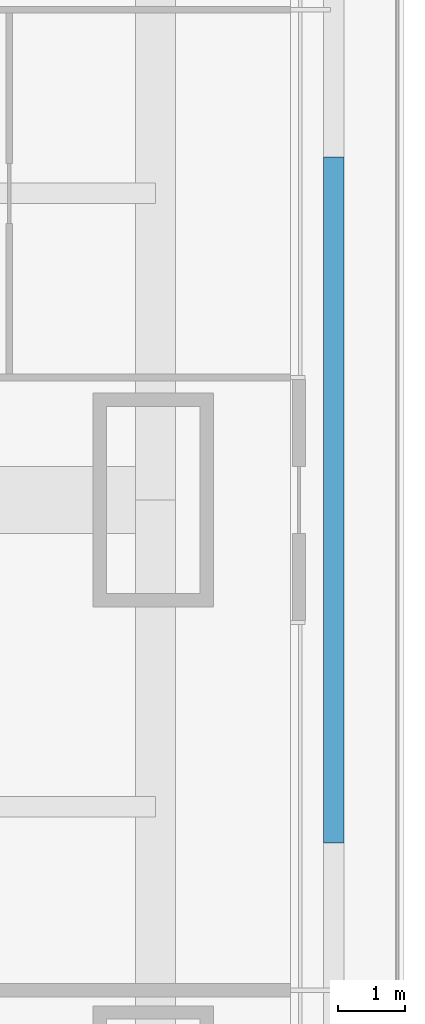
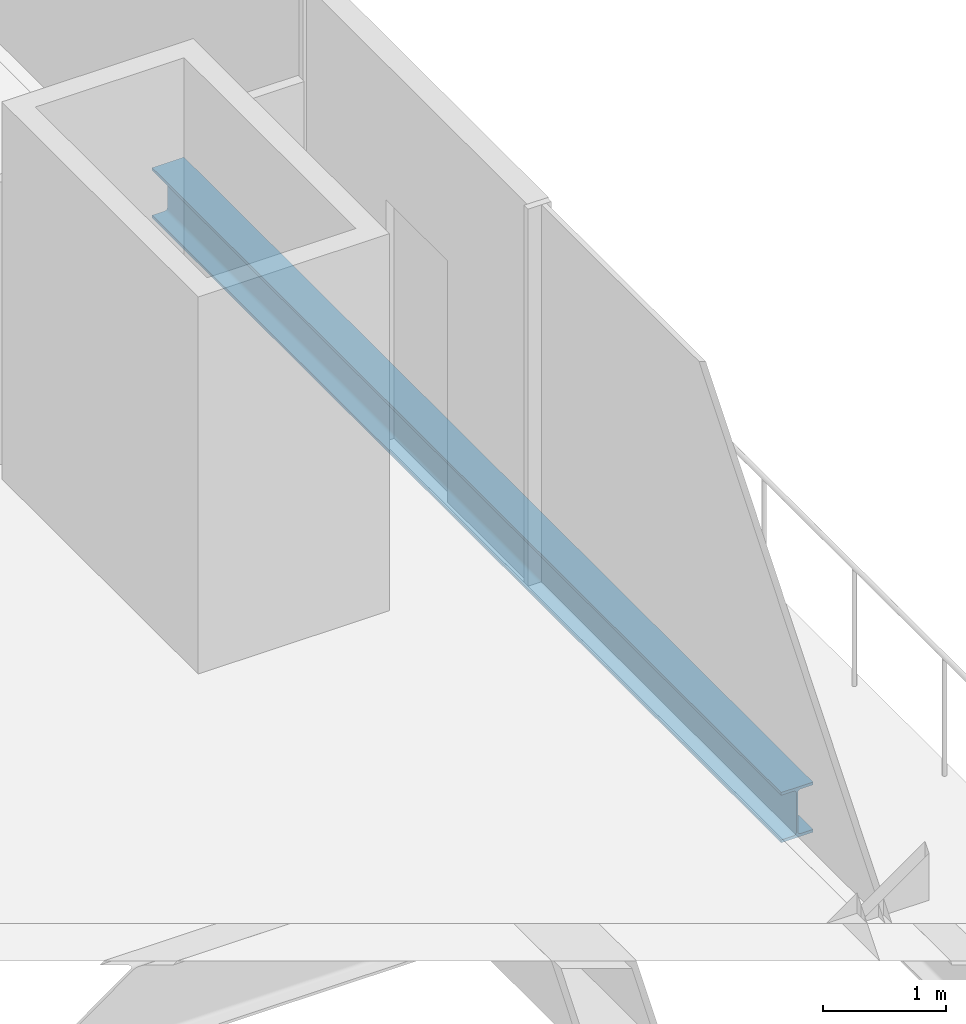
# One storey, part 5 of 16: 1 beam.
"""IFC4 building model written with IfcOpenShell, lengths in metres."""

from ifc_helpers import new_model, si_unit, direction, frame, origin, origin_2d, place, context, subcontext, project, spatial, i_section, extrude, material, material_profile, profile_set, type_object, element, save


model = new_model("IFC4")

# Units and contexts
model_context = context("Model", 3, precision=1e-05, world=origin(), true_north=direction((0.0, 1.0)))
body_context = subcontext(model_context, "Body", "Model", "MODEL_VIEW")
ifc_project = project(units=[si_unit("LENGTHUNIT", "METRE"), si_unit("AREAUNIT", "SQUARE_METRE"), si_unit("VOLUMEUNIT", "CUBIC_METRE"), si_unit("PLANEANGLEUNIT", "RADIAN"), si_unit("MASSUNIT", "GRAM", prefix="KILO")], contexts=[model_context])

# Site, building, storey
site_placement = place(None, origin())
site = spatial("IfcSite", under=ifc_project, at=site_placement, CompositionType="ELEMENT")
building_placement = place(site_placement, origin())
building = spatial("IfcBuilding", under=site, at=building_placement, Name="Khuree Lantern Residences", CompositionType="ELEMENT")
storey_placement = place(building_placement, frame((0.0, 0.0, 107.25)))
storey = spatial("IfcBuildingStorey", under=building, at=storey_placement, Name="L26", CompositionType="ELEMENT", Elevation=107.25)

# Beam
ifc_material = material(Name="Steel S355", Category="steel")
ifc_material_profile = material_profile(ifc_material, i_section(OverallWidth=0.300048828125, OverallDepth=0.5, WebThickness=0.014404296875, FlangeThickness=0.028076171875, FilletRadius=0.027099609375, at=origin_2d()), Name="HE 500 B")
ifc_profile_set = profile_set([ifc_material_profile], Name="Steel S355")
beam_type = type_object("IfcBeamType", Name="TB1 TERRACE EDGE BEAM HE 500 B", PredefinedType="BEAM", material=ifc_profile_set)
beam_placement = place(storey_placement, frame((29.800048828125, 5.125, -0.5), z_axis=(0.0, -1.0, 0.0), x_axis=(1.0, 0.0, 0.0)))
element("IfcBeam", 1, at=beam_placement, inside=storey, type_object=beam_type, Name="Terrace edge beam E3", PredefinedType="BEAM", context=body_context, shape_type="SweptSolid", body=[
    extrude(i_section(OverallWidth=0.300048828125, OverallDepth=0.5, WebThickness=0.014404296875, FlangeThickness=0.028076171875, FilletRadius=0.027099609375, at=origin_2d()), origin(), (0.0, 0.0, 1.0), 10.25),
])

save(model, "model.ifc")
